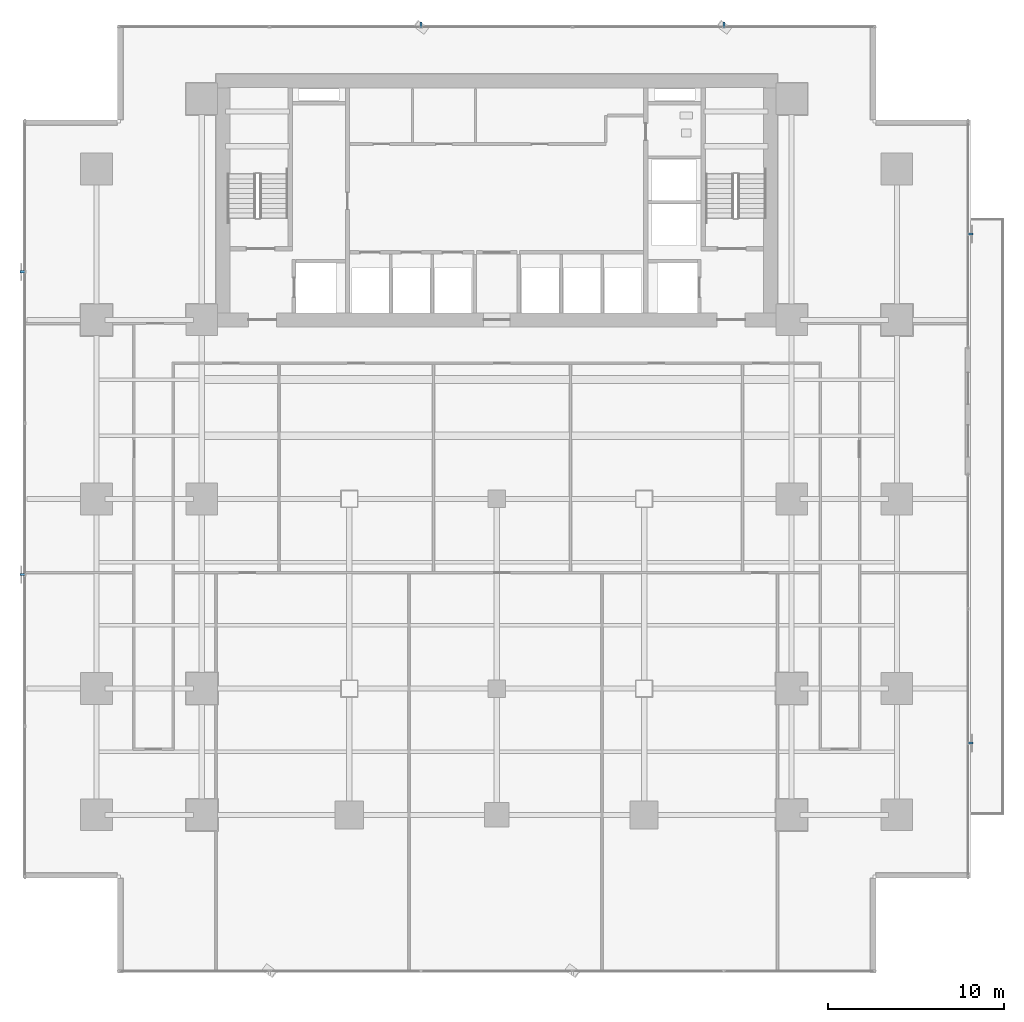
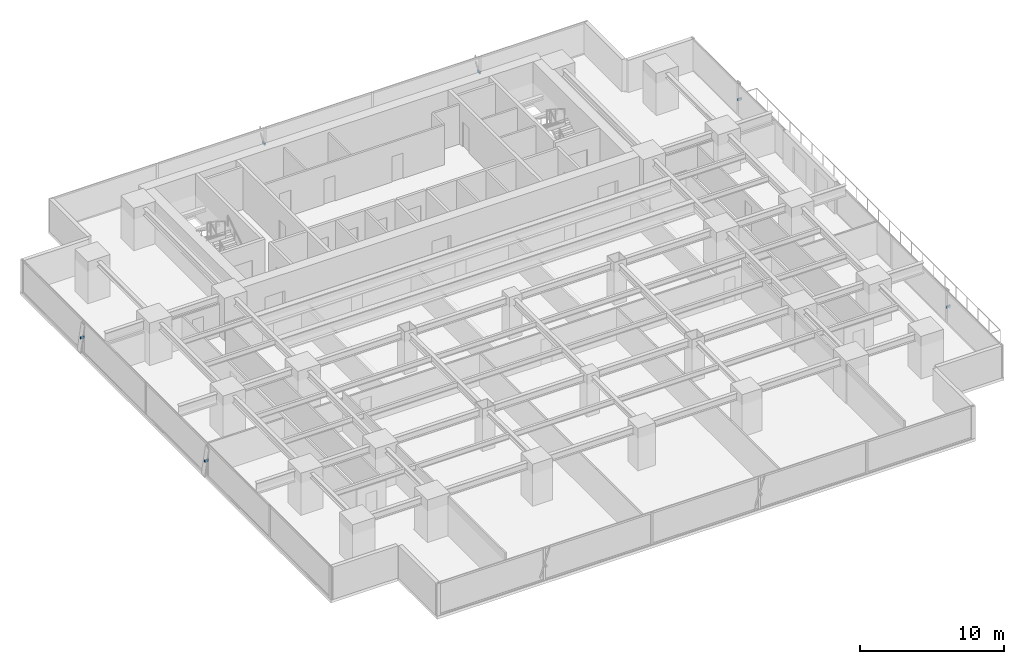
# One storey, part 28 of 33: 6 discrete accessories.
"""IFC4 building model written with IfcOpenShell, lengths in metres."""

from ifc_helpers import new_model, si_unit, direction, frame, origin, origin_2d, place, context, subcontext, project, spatial, rectangle, extrude, source, transform, mapped, material, material_profile, profile_set, type_object, element, save


model = new_model("IFC4")

# Units and contexts
model_context = context("Model", 3, precision=1e-05, world=origin(), true_north=direction((0.0, 1.0)))
body_context = subcontext(model_context, "Body", "Model", "MODEL_VIEW")
ifc_project = project(units=[si_unit("LENGTHUNIT", "METRE"), si_unit("AREAUNIT", "SQUARE_METRE"), si_unit("VOLUMEUNIT", "CUBIC_METRE"), si_unit("PLANEANGLEUNIT", "RADIAN"), si_unit("MASSUNIT", "GRAM", prefix="KILO")], contexts=[model_context])

# Site, building, storey
site_placement = place(None, origin())
site = spatial("IfcSite", under=ifc_project, at=site_placement, CompositionType="ELEMENT")
building_placement = place(site_placement, origin())
building = spatial("IfcBuilding", under=site, at=building_placement, Name="Sumidabori Civic Tower", CompositionType="ELEMENT")
storey_placement = place(building_placement, frame((0.0, 0.0, 23.60009765625)))
storey = spatial("IfcBuildingStorey", under=building, at=storey_placement, Name="L05", CompositionType="ELEMENT", Elevation=23.60009765625)

# Discrete accessories
ifc_material = material(Name="Stainless Steel Hairline Finish", Category="steel")
ifc_material_profile = material_profile(ifc_material, rectangle(XDim=0.1201171875, YDim=0.179931640625, at=origin_2d()), Name="STEEL BRACKET 180x120")
ifc_profile_set = profile_set([ifc_material_profile], Name="Stainless Steel Hairline Finish")
discrete_accessory_type = type_object("IfcDiscreteAccessoryType", Name="AC-BRK-180", PredefinedType="BRACKET", material=ifc_profile_set)
shared_shape = source(origin(), body_context, "Body", "SweptSolid", [
    extrude(rectangle(XDim=0.1201171875, YDim=0.179931640625, at=origin_2d()), origin(), (0.0, 0.0, 1.0), 0.329833984375),
])
for number, where, z_axis, x_axis, name in (
    (1, (26.800048828125, -13.913330078125, 1.35986328125), (1.0, 0.0, 0.0), (0.0, 1.0, 0.0), "Bronze Fin Fixing Bracket L05-01"),
    (2, (26.800048828125, 15.0849609375, 1.35986328125), (1.0, 0.0, 0.0), (0.0, 1.0, 0.0), "Bronze Fin Fixing Bracket L05-01"),
    (3, (12.94189453125, 26.830078125, 1.35986328125), (0.0, 1.0, 0.0), (-1.0, 0.0, 0.0), "Bronze Fin Fixing Bracket L05-01"),
    (4, (-4.31396484375, 26.830078125, 1.35986328125), (0.0, 1.0, 0.0), (-1.0, 0.0, 0.0), "Bronze Fin Fixing Bracket L05-03"),
    (5, (-26.830078125, 12.94189453125, 1.35986328125), (-1.0, 0.0, 0.0), (0.0, -1.0, 0.0), "Bronze Fin Fixing Bracket L05-01"),
    (6, (-26.830078125, -4.31396484375, 1.35986328125), (-1.0, 0.0, 0.0), (0.0, -1.0, 0.0), "Bronze Fin Fixing Bracket L05-03"),
):
    element("IfcDiscreteAccessory", number, at=place(storey_placement, frame(where, z_axis=z_axis, x_axis=x_axis)), inside=storey, type_object=discrete_accessory_type, Name=name, PredefinedType="BRACKET", context=body_context, shape_type="MappedRepresentation", body=[
        mapped(shared_shape, transform((0.0, 0.0, 0.0), x_axis=(1.0, 0.0, 0.0), y_axis=(0.0, 1.0, 0.0), z_axis=(0.0, 0.0, 1.0), scale=1.0)),
    ])

save(model, "model.ifc")
